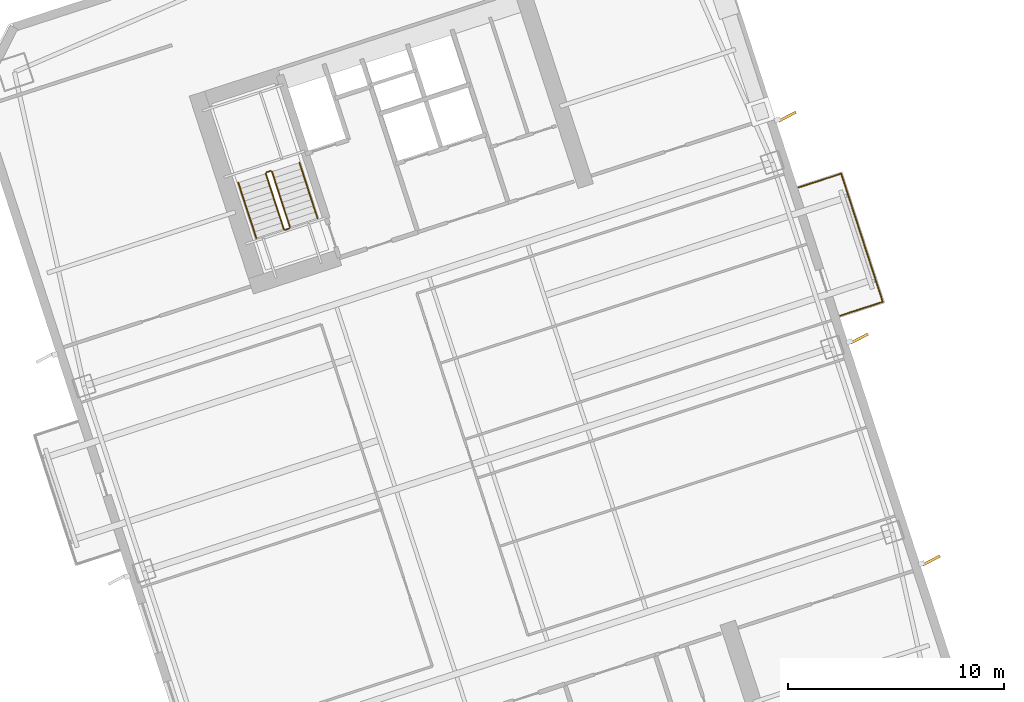
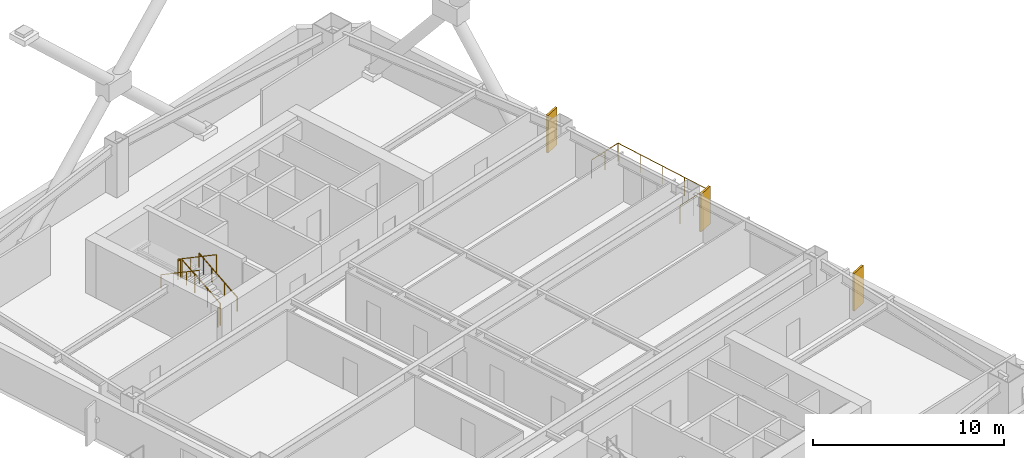
# One storey, part 19 of 19: 7 railings, 3 shading devices.
"""IFC4 building model written with IfcOpenShell, lengths in metres."""

from ifc_helpers import new_model, si_unit, direction, frame, origin, origin_2d, place, context, subcontext, project, spatial, rectangle, circle, extrude, material, layer, layer_set, type_object, element, save


model = new_model("IFC4")

# Units and contexts
model_context = context("Model", 3, precision=1e-05, world=origin(), true_north=direction((0.0, 1.0)))
body_context = subcontext(model_context, "Body", "Model", "MODEL_VIEW")
ifc_project = project(units=[si_unit("LENGTHUNIT", "METRE"), si_unit("AREAUNIT", "SQUARE_METRE"), si_unit("VOLUMEUNIT", "CUBIC_METRE"), si_unit("PLANEANGLEUNIT", "RADIAN"), si_unit("MASSUNIT", "GRAM", prefix="KILO")], contexts=[model_context])

# Site, building, storey
site_placement = place(None, origin())
site = spatial("IfcSite", under=ifc_project, at=site_placement, CompositionType="ELEMENT")
building_placement = place(site_placement, origin())
building = spatial("IfcBuilding", under=site, at=building_placement, Name="Qiaolan Cultural Towers", CompositionType="ELEMENT")
storey_placement = place(building_placement, frame((0.0, 0.0, 78.199951171875)))
storey = spatial("IfcBuildingStorey", under=building, at=storey_placement, Name="L19", CompositionType="ELEMENT", Elevation=78.199951171875)

# Railings
ifc_material_1 = material(Name="Laminated SentryGlas & Stainless Steel S31608 Balustrade", Category="steel")
railing_type_1 = type_object("IfcRailingType", Name="GRD-TERR-1200", PredefinedType="BALUSTRADE", material=ifc_material_1)
railing_1_placement = place(storey_placement, frame((106.29541015625, 40.640625, 0.0)))
element("IfcRailing", 1, at=railing_1_placement, inside=storey, type_object=railing_type_1, Name="L19 T2 Tree Balcony Guardrail E", PredefinedType="BALUSTRADE", context=body_context, shape_type="SweptSolid", body=[
    extrude(circle(Radius=0.02392578125, at=origin_2d()), frame((0.0, 0.0, 1.17578125), z_axis=(0.951061799618, 0.309000733507, 0.0), x_axis=(-0.309000733507, 0.951061799618, 0.0)), (0.0, 0.0, 1.0), 2.070068359375),
    extrude(circle(Radius=0.02392578125, at=origin_2d()), frame((1.96875, 0.6396484375, 1.17578125), z_axis=(-0.30901175762, 0.951058217804, 0.0), x_axis=(-0.951058217804, -0.30901175762, 0.0)), (0.0, 0.0, 1.0), 6.239990234375),
    extrude(circle(Radius=0.02392578125, at=origin_2d()), frame((0.04052734375, 6.57421875, 1.17578125), z_axis=(-0.951061799618, -0.309000733507, 0.0), x_axis=(0.309000733507, -0.951061799618, 0.0)), (0.0, 0.0, 1.0), 2.070068359375),
    extrude(circle(Radius=0.02099609375, at=origin_2d()), origin(), (0.0, 0.0, 1.0), 1.15185546875),
    extrude(circle(Radius=0.02099609375, at=origin_2d()), frame((0.984375, 0.31982421875, 0.0)), (0.0, 0.0, 1.0), 1.15185546875),
    extrude(circle(Radius=0.02099609375, at=origin_2d()), frame((1.96875, 0.6396484375, 0.0)), (0.0, 0.0, 1.0), 1.15185546875),
    extrude(circle(Radius=0.02099609375, at=origin_2d()), frame((1.48681640625, 2.123291015625, 0.0)), (0.0, 0.0, 1.0), 1.15185546875),
    extrude(circle(Radius=0.02099609375, at=origin_2d()), frame((1.004638671875, 3.60693359375, 0.0)), (0.0, 0.0, 1.0), 1.15185546875),
    extrude(circle(Radius=0.02099609375, at=origin_2d()), frame((0.5224609375, 5.090576171875, 0.0)), (0.0, 0.0, 1.0), 1.15185546875),
    extrude(circle(Radius=0.02099609375, at=origin_2d()), frame((0.04052734375, 6.57421875, 0.0)), (0.0, 0.0, 1.0), 1.15185546875),
    extrude(circle(Radius=0.02099609375, at=origin_2d()), frame((-0.94384765625, 6.25439453125, 0.0)), (0.0, 0.0, 1.0), 1.15185546875),
    extrude(circle(Radius=0.02099609375, at=origin_2d()), frame((-1.92822265625, 5.9345703125, 0.0)), (0.0, 0.0, 1.0), 1.15185546875),
])
ifc_material_2 = material(Name="Galvanized Painted Steel Stair Guardrail", Category="steel")
railing_type_2 = type_object("IfcRailingType", Name="RL-STAIR-GRD", PredefinedType="GUARDRAIL", material=ifc_material_2)
railing_2_placement = place(storey_placement, frame((80.822021484375, 44.739501953125, 0.172607421875)))
element("IfcRailing", 2, at=railing_2_placement, inside=storey, type_object=railing_type_2, Name="L19 ST-E2 stair guard 1", PredefinedType="GUARDRAIL", context=body_context, shape_type="SweptSolid", body=[
    extrude(circle(Radius=0.02392578125, at=origin_2d()), frame((0.0, 0.0, 1.17578125), z_axis=(-0.26785290645, 0.824488402118, 0.498471358535), x_axis=(-0.951069945308, -0.308975661068, 0.0)), (0.0, 0.0, 1.0), 3.114501953125),
    extrude(circle(Radius=0.02099609375, at=origin_2d()), origin(), (0.0, 0.0, 1.0), 1.15185546875),
    extrude(circle(Radius=0.02099609375, at=origin_2d()), frame((-0.278076171875, 0.85595703125, 0.517578125)), (0.0, 0.0, 1.0), 1.15185546875),
    extrude(circle(Radius=0.02099609375, at=origin_2d()), frame((-0.55615234375, 1.7119140625, 1.034912109375)), (0.0, 0.0, 1.0), 1.15185546875),
    extrude(circle(Radius=0.02099609375, at=origin_2d()), frame((-0.834228515625, 2.56787109375, 1.552490234375)), (0.0, 0.0, 1.0), 1.15185546875),
])
railing_3_placement = place(storey_placement, frame((79.9248046875, 47.33935546875, 1.72509765625)))
element("IfcRailing", 3, at=railing_3_placement, inside=storey, type_object=railing_type_2, Name="L19 ST-E2 stair guard 2", PredefinedType="GUARDRAIL", context=body_context, shape_type="SweptSolid", body=[
    extrude(circle(Radius=0.02392578125, at=origin_2d()), frame((0.0, 0.0, 1.17578125), z_axis=(-0.951096855055, -0.308892816854, 0.0), x_axis=(0.308892816854, -0.951096855055, 0.0)), (0.0, 0.0, 1.0), 0.199951171875),
    extrude(circle(Radius=0.02099609375, at=origin_2d()), origin(), (0.0, 0.0, 1.0), 1.15185546875),
    extrude(circle(Radius=0.02099609375, at=origin_2d()), frame((-0.190185546875, -0.061767578125, 0.0)), (0.0, 0.0, 1.0), 1.15185546875),
])
railing_4_placement = place(storey_placement, frame((79.702392578125, 47.214599609375, 1.8974609375)))
element("IfcRailing", 4, at=railing_4_placement, inside=storey, type_object=railing_type_2, Name="L19 ST-E2 stair guard 3", PredefinedType="GUARDRAIL", context=body_context, shape_type="SweptSolid", body=[
    extrude(circle(Radius=0.02392578125, at=origin_2d()), frame((0.0, 0.0, 1.17578125), z_axis=(0.267925668498, -0.824471088726, 0.498460891159), x_axis=(0.951043371037, 0.309057448393, 0.0)), (0.0, 0.0, 1.0), 3.114501953125),
    extrude(circle(Radius=0.02099609375, at=origin_2d()), origin(), (0.0, 0.0, 1.0), 1.15185546875),
    extrude(circle(Radius=0.02099609375, at=origin_2d()), frame((0.278076171875, -0.85595703125, 0.517578125)), (0.0, 0.0, 1.0), 1.15185546875),
    extrude(circle(Radius=0.02099609375, at=origin_2d()), frame((0.556396484375, -1.7119140625, 1.034912109375)), (0.0, 0.0, 1.0), 1.15185546875),
    extrude(circle(Radius=0.02099609375, at=origin_2d()), frame((0.83447265625, -2.56787109375, 1.552490234375)), (0.0, 0.0, 1.0), 1.15185546875),
])
railing_5_placement = place(storey_placement, frame((80.7900390625, 44.676513671875, 0.0)))
element("IfcRailing", 5, at=railing_5_placement, inside=storey, type_object=railing_type_2, Name="L19 ST-E2 stair guard 4", PredefinedType="GUARDRAIL", context=body_context, shape_type="SweptSolid", body=[
    extrude(circle(Radius=0.02392578125, at=origin_2d()), frame((0.0, 0.0, 1.17578125), z_axis=(-0.951096855055, -0.308892816854, 0.0), x_axis=(0.308892816854, -0.951096855055, 0.0)), (0.0, 0.0, 1.0), 0.199951171875),
    extrude(circle(Radius=0.02099609375, at=origin_2d()), origin(), (0.0, 0.0, 1.0), 1.15185546875),
    extrude(circle(Radius=0.02099609375, at=origin_2d()), frame((-0.190185546875, -0.061767578125, 0.0)), (0.0, 0.0, 1.0), 1.15185546875),
])
ifc_material_3 = material(Name="Stainless Steel S30408 Tubular Handrail", Category="steel")
railing_type_3 = type_object("IfcRailingType", Name="RL-STAIR-HR", PredefinedType="HANDRAIL", material=ifc_material_3)
railing_6_placement = place(storey_placement, frame((82.096435546875, 45.153564453125, 0.172607421875)))
element("IfcRailing", 6, at=railing_6_placement, inside=storey, type_object=railing_type_3, Name="L19 ST-E2 stair handrail 1", PredefinedType="HANDRAIL", context=body_context, shape_type="SweptSolid", body=[
    extrude(circle(Radius=0.02392578125, at=origin_2d()), frame((0.0, 0.0, 0.8759765625), z_axis=(-0.26785290645, 0.824488402118, 0.498471358535), x_axis=(-0.951069945308, -0.308975661068, 0.0)), (0.0, 0.0, 1.0), 3.114501953125),
    extrude(circle(Radius=0.02099609375, at=origin_2d()), origin(), (0.0, 0.0, 1.0), 0.851806640625),
    extrude(circle(Radius=0.02099609375, at=origin_2d()), frame((-0.278076171875, 0.85595703125, 0.517578125)), (0.0, 0.0, 1.0), 0.851806640625),
    extrude(circle(Radius=0.02099609375, at=origin_2d()), frame((-0.55615234375, 1.7119140625, 1.034912109375)), (0.0, 0.0, 1.0), 0.851806640625),
    extrude(circle(Radius=0.02099609375, at=origin_2d()), frame((-0.834228515625, 2.56787109375, 1.552490234375)), (0.0, 0.0, 1.0), 0.851806640625),
])
railing_7_placement = place(storey_placement, frame((78.427978515625, 46.800537109375, 1.8974609375)))
element("IfcRailing", 7, at=railing_7_placement, inside=storey, type_object=railing_type_3, Name="L19 ST-E2 stair handrail 2", PredefinedType="HANDRAIL", context=body_context, shape_type="SweptSolid", body=[
    extrude(circle(Radius=0.02392578125, at=origin_2d()), frame((0.0, 0.0, 0.8759765625), z_axis=(0.267925668498, -0.824471088726, 0.498460891159), x_axis=(0.951043371037, 0.309057448393, 0.0)), (0.0, 0.0, 1.0), 3.114501953125),
    extrude(circle(Radius=0.02099609375, at=origin_2d()), origin(), (0.0, 0.0, 1.0), 0.851806640625),
    extrude(circle(Radius=0.02099609375, at=origin_2d()), frame((0.278076171875, -0.85595703125, 0.517578125)), (0.0, 0.0, 1.0), 0.851806640625),
    extrude(circle(Radius=0.02099609375, at=origin_2d()), frame((0.556396484375, -1.7119140625, 1.034912109375)), (0.0, 0.0, 1.0), 0.851806640625),
    extrude(circle(Radius=0.02099609375, at=origin_2d()), frame((0.83447265625, -2.56787109375, 1.552490234375)), (0.0, 0.0, 1.0), 0.851806640625),
])

# Shading devices
ifc_material_4 = material(Name="Dark Basalt Honed Precast Terracotta Fin", Category="masonry")
ifc_layer = layer(ifc_material_4, 0.1201171875)
ifc_layer_set = layer_set([ifc_layer], Name="Dark Basalt Honed Precast Terracotta Fin")
shading_device_type = type_object("IfcShadingDeviceType", Name="SHD-FIN-DARK", PredefinedType="USERDEFINED", material=ifc_layer_set)
for number, where, z_axis, x_axis, name in (
    (8, (110.513427734375, 29.309326171875, 0.10009765625), (0.0, 0.0, 1.0), (0.885865233539, 0.463942655947, 0.0), "L19 T2 Expressive Precast Vertical Fin E1"),
    (9, (107.176025390625, 39.580810546875, 0.10009765625), (0.0, 0.0, 1.0), (0.885865233539, 0.463942655947, 0.0), "L19 T2 Expressive Precast Vertical Fin E2"),
    (10, (103.838623046875, 49.852294921875, 0.10009765625), (0.0, 0.0, 1.0), (0.885865233539, 0.463942655947, 0.0), "L19 T2 Expressive Precast Vertical Fin E3"),
):
    element("IfcShadingDevice", number, at=place(storey_placement, frame(where, z_axis=z_axis, x_axis=x_axis)), inside=storey, type_object=shading_device_type, Name=name, ObjectType="FIN", PredefinedType="USERDEFINED", context=body_context, shape_type="SweptSolid", body=[
        extrude(rectangle(XDim=0.89990234375, YDim=0.1201171875, at=origin_2d()), origin(), (0.0, 0.0, 1.0), 2.409912109375),
    ])

save(model, "model.ifc")
